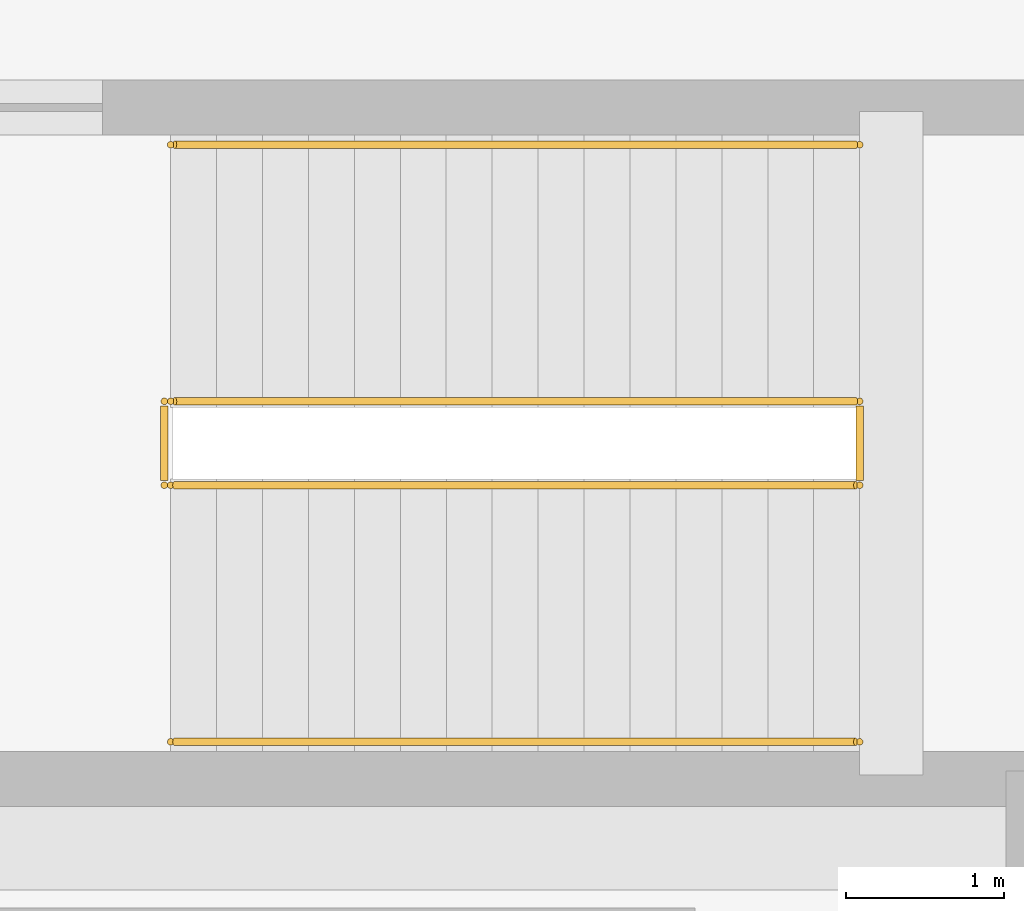
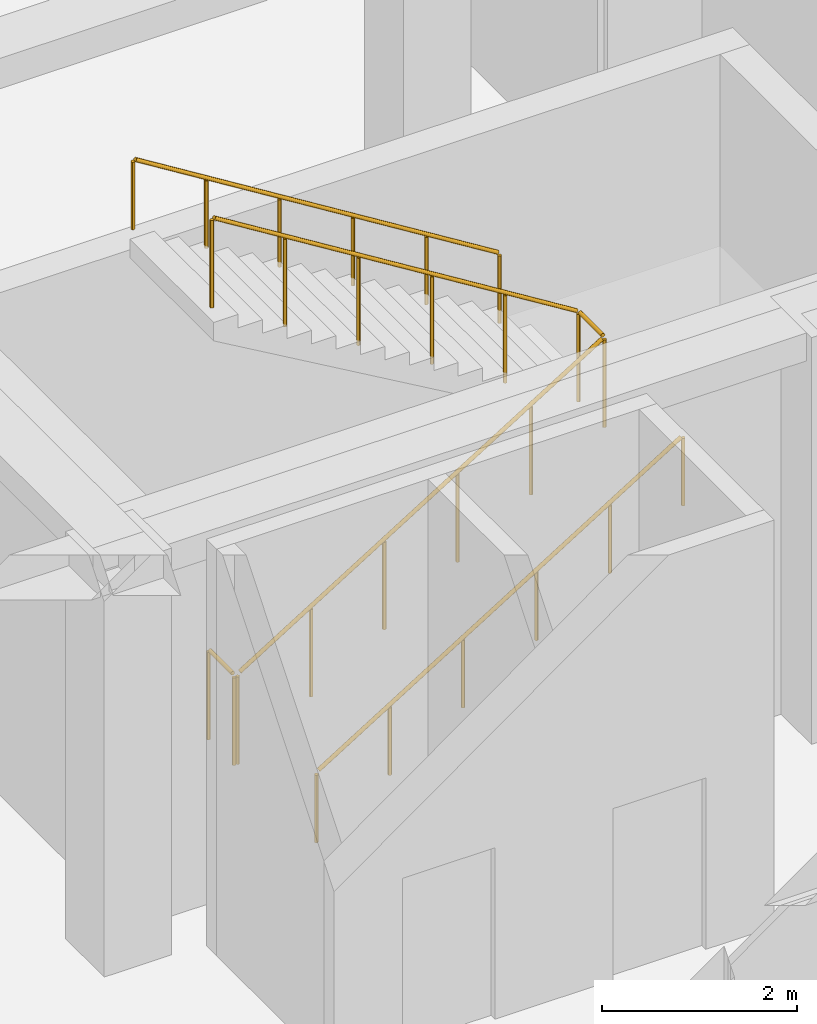
# One storey, part 91 of 95: 4 railings.
"""IFC4 building model written with IfcOpenShell, lengths in metres."""

from ifc_helpers import new_model, si_unit, direction, frame, origin, origin_2d, place, context, subcontext, project, spatial, circle, extrude, material, type_object, element, save


model = new_model("IFC4")

# Units and contexts
model_context = context("Model", 3, precision=1e-05, world=origin(), true_north=direction((0.0, 1.0)))
body_context = subcontext(model_context, "Body", "Model", "MODEL_VIEW")
ifc_project = project(units=[si_unit("LENGTHUNIT", "METRE"), si_unit("AREAUNIT", "SQUARE_METRE"), si_unit("VOLUMEUNIT", "CUBIC_METRE"), si_unit("PLANEANGLEUNIT", "RADIAN"), si_unit("MASSUNIT", "GRAM", prefix="KILO")], contexts=[model_context])

# Site, building, storey
site_placement = place(None, origin())
site = spatial("IfcSite", under=ifc_project, at=site_placement, CompositionType="ELEMENT")
building_placement = place(site_placement, origin())
building = spatial("IfcBuilding", under=site, at=building_placement, Name="Almacenes y Pasaje Nevantli", CompositionType="ELEMENT")
storey_placement = place(building_placement, frame((0.0, 0.0, 11.39990234375)))
storey = spatial("IfcBuildingStorey", under=building, at=storey_placement, Name="L03", CompositionType="ELEMENT", Elevation=11.39990234375)

# Railings
ifc_material_1 = material(Name="Brushed Stainless Steel and Tempered Safety Glass", Category="steel")
railing_type_1 = type_object("IfcRailingType", Name="RL-GUARD-1100", PredefinedType="BALUSTRADE", material=ifc_material_1)
railing_1_placement = place(storey_placement, frame((120.300048828125, 77.830078125, 0.0)))
element("IfcRailing", 1, at=railing_1_placement, inside=storey, type_object=railing_type_1, Name="L03 Stair ST-01 Inner Well Guard Balustrade", PredefinedType="BALUSTRADE", context=body_context, shape_type="SweptSolid", body=[
    extrude(circle(Radius=0.02392578125, at=origin_2d()), frame((0.025390625, 0.0, 1.1416015625), z_axis=(0.849615114927, 0.0, 0.52740322002), x_axis=(0.0, 1.0, 0.0)), (0.0, 0.0, 1.0), 5.059814453125),
    extrude(circle(Radius=0.02392578125, at=origin_2d()), frame((4.349853515625, 0.030029296875, 3.826171875), z_axis=(0.0, 1.0, 0.0), x_axis=(-1.0, 0.0, 0.0)), (0.0, 0.0, 1.0), 0.469970703125),
    extrude(circle(Radius=0.02392578125, at=origin_2d()), frame((4.324462890625, 0.530029296875, 3.841796875), z_axis=(-0.849636482215, 0.0, 0.527368797038), x_axis=(0.0, -1.0, 0.0)), (0.0, 0.0, 1.0), 5.0595703125),
    extrude(circle(Radius=0.02099609375, at=origin_2d()), origin(), (0.0, 0.0, 1.0), 1.096923828125),
    extrude(circle(Radius=0.02099609375, at=origin_2d()), frame((0.869873046875, 0.0, 0.5400390625)), (0.0, 0.0, 1.0), 1.096923828125),
    extrude(circle(Radius=0.02099609375, at=origin_2d()), frame((1.739990234375, 0.0, 1.080078125)), (0.0, 0.0, 1.0), 1.096923828125),
    extrude(circle(Radius=0.02099609375, at=origin_2d()), frame((2.60986328125, 0.0, 1.6201171875)), (0.0, 0.0, 1.0), 1.096923828125),
    extrude(circle(Radius=0.02099609375, at=origin_2d()), frame((3.47998046875, 0.0, 2.16015625)), (0.0, 0.0, 1.0), 1.096923828125),
    extrude(circle(Radius=0.02099609375, at=origin_2d()), frame((4.349853515625, 0.0, 2.7001953125)), (0.0, 0.0, 1.0), 1.096923828125),
    extrude(circle(Radius=0.02099609375, at=origin_2d()), frame((4.349853515625, 0.530029296875, 2.7001953125)), (0.0, 0.0, 1.0), 1.096923828125),
    extrude(circle(Radius=0.02099609375, at=origin_2d()), frame((3.47998046875, 0.530029296875, 3.240234375)), (0.0, 0.0, 1.0), 1.096923828125),
    extrude(circle(Radius=0.02099609375, at=origin_2d()), frame((2.60986328125, 0.530029296875, 3.7802734375)), (0.0, 0.0, 1.0), 1.096923828125),
    extrude(circle(Radius=0.02099609375, at=origin_2d()), frame((1.739990234375, 0.530029296875, 4.320068359375)), (0.0, 0.0, 1.0), 1.096923828125),
    extrude(circle(Radius=0.02099609375, at=origin_2d()), frame((0.869873046875, 0.530029296875, 4.860107421875)), (0.0, 0.0, 1.0), 1.096923828125),
    extrude(circle(Radius=0.02099609375, at=origin_2d()), frame((0.0, 0.530029296875, 5.400146484375)), (0.0, 0.0, 1.0), 1.096923828125),
])
railing_2_placement = place(storey_placement, frame((120.260009765625, 77.830078125, 0.0)))
element("IfcRailing", 2, at=railing_2_placement, inside=storey, type_object=railing_type_1, Name="L03 Stair ST-01 Landing Well Slot Guard", PredefinedType="BALUSTRADE", context=body_context, shape_type="SweptSolid", body=[
    extrude(circle(Radius=0.02392578125, at=origin_2d()), frame((0.0, 0.030029296875, 1.1259765625), z_axis=(0.0, 1.0, 0.0), x_axis=(-1.0, 0.0, 0.0)), (0.0, 0.0, 1.0), 0.469970703125),
    extrude(circle(Radius=0.02099609375, at=origin_2d()), origin(), (0.0, 0.0, 1.0), 1.096923828125),
    extrude(circle(Radius=0.02099609375, at=origin_2d()), frame((0.0, 0.530029296875, 0.0)), (0.0, 0.0, 1.0), 1.096923828125),
])
ifc_material_2 = material(Name="Brushed Stainless Steel Tube", Category="steel")
railing_type_2 = type_object("IfcRailingType", Name="RL-HANDRAIL-900", PredefinedType="HANDRAIL", material=ifc_material_2)
railing_3_placement = place(storey_placement, frame((120.300048828125, 76.2099609375, 0.0)))
element("IfcRailing", 3, at=railing_3_placement, inside=storey, type_object=railing_type_2, Name="L03 Stair ST-01 Lower Flight Handrail", PredefinedType="HANDRAIL", context=body_context, shape_type="SweptSolid", body=[
    extrude(circle(Radius=0.02392578125, at=origin_2d()), frame((0.025390625, 0.0, 0.8916015625), z_axis=(0.849615114927, 0.0, 0.52740322002), x_axis=(0.0, 1.0, 0.0)), (0.0, 0.0, 1.0), 5.059814453125),
    extrude(circle(Radius=0.02099609375, at=origin_2d()), origin(), (0.0, 0.0, 1.0), 0.846923828125),
    extrude(circle(Radius=0.02099609375, at=origin_2d()), frame((0.869873046875, 0.0, 0.5400390625)), (0.0, 0.0, 1.0), 0.846923828125),
    extrude(circle(Radius=0.02099609375, at=origin_2d()), frame((1.739990234375, 0.0, 1.080078125)), (0.0, 0.0, 1.0), 0.846923828125),
    extrude(circle(Radius=0.02099609375, at=origin_2d()), frame((2.60986328125, 0.0, 1.6201171875)), (0.0, 0.0, 1.0), 0.846923828125),
    extrude(circle(Radius=0.02099609375, at=origin_2d()), frame((3.47998046875, 0.0, 2.16015625)), (0.0, 0.0, 1.0), 0.846923828125),
    extrude(circle(Radius=0.02099609375, at=origin_2d()), frame((4.349853515625, 0.0, 2.7001953125)), (0.0, 0.0, 1.0), 0.846923828125),
])
railing_4_placement = place(storey_placement, frame((124.64990234375, 79.97998046875, 2.7001953125)))
element("IfcRailing", 4, at=railing_4_placement, inside=storey, type_object=railing_type_2, Name="L03 Stair ST-01 Upper Flight Handrail", PredefinedType="HANDRAIL", context=body_context, shape_type="SweptSolid", body=[
    extrude(circle(Radius=0.02392578125, at=origin_2d()), frame((-0.025390625, 0.0, 0.8916015625), z_axis=(-0.849636482215, 0.0, 0.527368797038), x_axis=(0.0, -1.0, 0.0)), (0.0, 0.0, 1.0), 5.0595703125),
    extrude(circle(Radius=0.02099609375, at=origin_2d()), origin(), (0.0, 0.0, 1.0), 0.846923828125),
    extrude(circle(Radius=0.02099609375, at=origin_2d()), frame((-0.869873046875, 0.0, 0.5400390625)), (0.0, 0.0, 1.0), 0.846923828125),
    extrude(circle(Radius=0.02099609375, at=origin_2d()), frame((-1.739990234375, 0.0, 1.080078125)), (0.0, 0.0, 1.0), 0.846923828125),
    extrude(circle(Radius=0.02099609375, at=origin_2d()), frame((-2.60986328125, 0.0, 1.619873046875)), (0.0, 0.0, 1.0), 0.846923828125),
    extrude(circle(Radius=0.02099609375, at=origin_2d()), frame((-3.47998046875, 0.0, 2.159912109375)), (0.0, 0.0, 1.0), 0.846923828125),
    extrude(circle(Radius=0.02099609375, at=origin_2d()), frame((-4.349853515625, 0.0, 2.699951171875)), (0.0, 0.0, 1.0), 0.846923828125),
])

save(model, "model.ifc")
